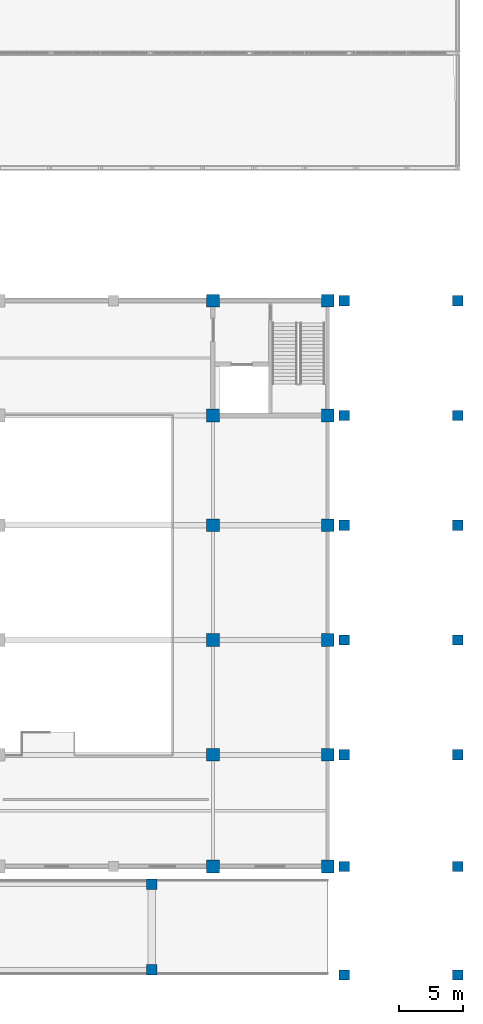
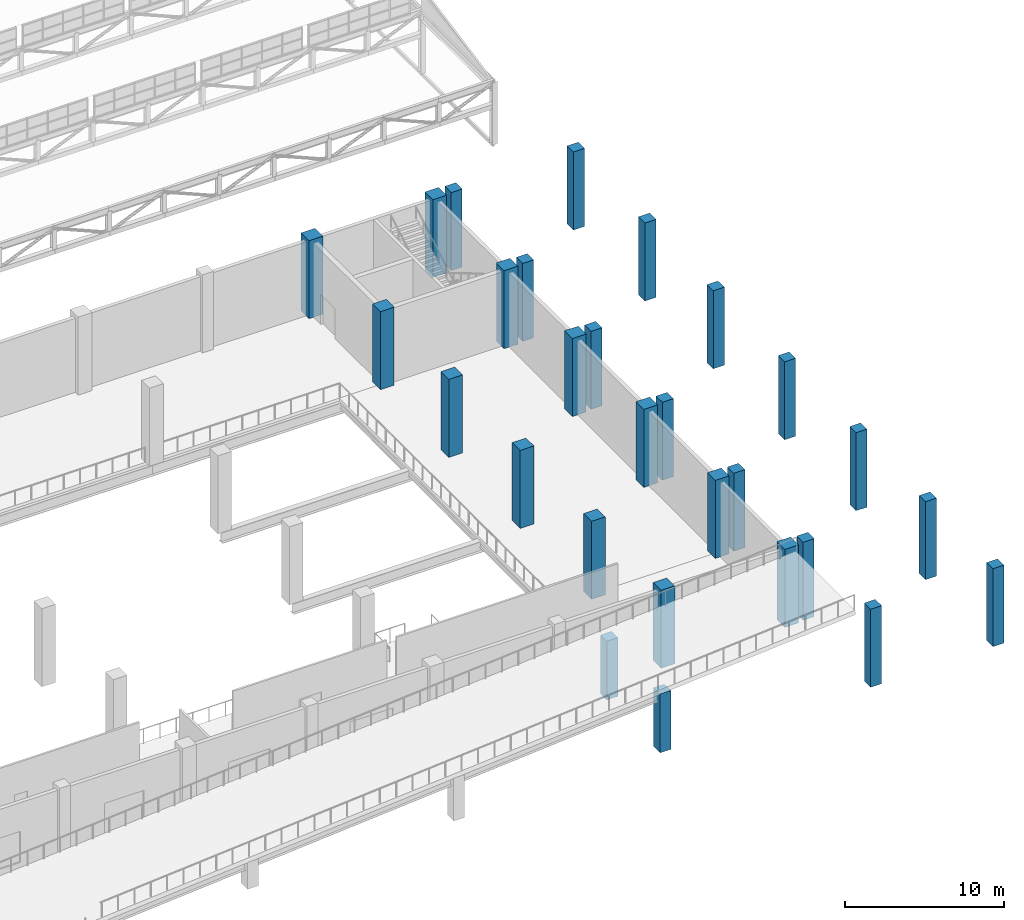
# One storey, part 19 of 159: 28 columns.
"""IFC4 building model written with IfcOpenShell, lengths in metres."""

from ifc_helpers import new_model, si_unit, direction, frame, origin, origin_2d, place, context, subcontext, project, spatial, rectangle, extrude, material, material_profile, profile_set, type_object, element, save


model = new_model("IFC4")

# Units and contexts
model_context = context("Model", 3, precision=1e-05, world=origin(), true_north=direction((0.0, 1.0)))
body_context = subcontext(model_context, "Body", "Model", "MODEL_VIEW")
ifc_project = project(units=[si_unit("LENGTHUNIT", "METRE"), si_unit("AREAUNIT", "SQUARE_METRE"), si_unit("VOLUMEUNIT", "CUBIC_METRE"), si_unit("PLANEANGLEUNIT", "RADIAN"), si_unit("MASSUNIT", "GRAM", prefix="KILO")], contexts=[model_context])

# Site, building, storey
site_placement = place(None, origin())
site = spatial("IfcSite", under=ifc_project, at=site_placement, CompositionType="ELEMENT")
building_placement = place(site_placement, origin())
building = spatial("IfcBuilding", under=site, at=building_placement, Name="Cazmaro Siding Exhibition Halls", CompositionType="ELEMENT")
storey_placement = place(building_placement, frame((0.0, 0.0, 6.0)))
storey = spatial("IfcBuildingStorey", under=building, at=storey_placement, Name="L01", CompositionType="ELEMENT", Elevation=6.0)

# Columns
ifc_material_1 = material(Name="Concrete f'c 45 MPa", Category="concrete")
ifc_material_profile_1 = material_profile(ifc_material_1, rectangle(XDim=1.0, YDim=1.0, at=origin_2d()), Name="RC1000X1000")
ifc_profile_set_1 = profile_set([ifc_material_profile_1], Name="Concrete f'c 45 MPa")
column_type_1 = type_object("IfcColumnType", Name="C-07", PredefinedType="COLUMN", material=ifc_profile_set_1)
for number, where, z_axis, x_axis, name in (
    (1, (196.800048828125, 9.25, 0.0), (0.0, 0.0, 1.0), (1.0, 0.0, 0.0), "Column C-07 COL-0542"),
    (2, (196.800048828125, 18.0, 0.0), (0.0, 0.0, 1.0), (1.0, 0.0, 0.0), "Column C-07 COL-0544"),
    (3, (196.800048828125, 27.0, 0.0), (0.0, 0.0, 1.0), (1.0, 0.0, 0.0), "Column C-07 COL-0546"),
    (4, (196.800048828125, 36.0, 0.0), (0.0, 0.0, 1.0), (1.0, 0.0, 0.0), "Column C-07 COL-0548"),
    (5, (196.800048828125, 44.60009765625, 0.0), (0.0, 0.0, 1.0), (1.0, 0.0, 0.0), "Column C-07 COL-0550"),
    (6, (196.800048828125, 53.60009765625, 0.0), (0.0, 0.0, 1.0), (1.0, 0.0, 0.0), "Column C-07 COL-0552"),
    (7, (205.800048828125, 9.25, 0.0), (0.0, 0.0, 1.0), (1.0, 0.0, 0.0), "Column C-07 COL-0554"),
    (8, (205.800048828125, 18.0, 0.0), (0.0, 0.0, 1.0), (1.0, 0.0, 0.0), "Column C-07 COL-0556"),
    (9, (205.800048828125, 27.0, 0.0), (0.0, 0.0, 1.0), (1.0, 0.0, 0.0), "Column C-07 COL-0558"),
    (10, (205.800048828125, 36.0, 0.0), (0.0, 0.0, 1.0), (1.0, 0.0, 0.0), "Column C-07 COL-0560"),
    (11, (205.800048828125, 44.60009765625, 0.0), (0.0, 0.0, 1.0), (1.0, 0.0, 0.0), "Column C-07 COL-0562"),
    (12, (205.800048828125, 53.60009765625, 0.0), (0.0, 0.0, 1.0), (1.0, 0.0, 0.0), "Column C-07 COL-0564"),
):
    element("IfcColumn", number, at=place(storey_placement, frame(where, z_axis=z_axis, x_axis=x_axis)), inside=storey, type_object=column_type_1, Name=name, PredefinedType="COLUMN", context=body_context, shape_type="SweptSolid", body=[
        extrude(rectangle(XDim=1.0, YDim=1.0, at=origin_2d()), origin(), (0.0, 0.0, 1.0), 6.0),
    ])
ifc_material_2 = material(Name="Concrete f'c 45 MPa", Category="concrete")
ifc_material_profile_2 = material_profile(ifc_material_2, rectangle(XDim=0.800048828125, YDim=0.800048828125, at=origin_2d()), Name="RC800X800")
ifc_profile_set_2 = profile_set([ifc_material_profile_2], Name="Concrete f'c 45 MPa")
column_type_2 = type_object("IfcColumnType", Name="C-08", PredefinedType="COLUMN", material=ifc_profile_set_2)
for number, where, z_axis, x_axis, name in (
    (13, (207.10009765625, 0.75, 0.0), (0.0, 0.0, 1.0), (1.0, 0.0, 0.0), "Column C-08 COL-1094"),
    (14, (207.10009765625, 9.25, 0.0), (0.0, 0.0, 1.0), (1.0, 0.0, 0.0), "Column C-08 COL-1096"),
    (15, (207.10009765625, 18.0, 0.0), (0.0, 0.0, 1.0), (1.0, 0.0, 0.0), "Column C-08 COL-1098"),
    (16, (207.10009765625, 27.0, 0.0), (0.0, 0.0, 1.0), (1.0, 0.0, 0.0), "Column C-08 COL-1100"),
    (17, (207.10009765625, 36.0, 0.0), (0.0, 0.0, 1.0), (1.0, 0.0, 0.0), "Column C-08 COL-1102"),
    (18, (207.10009765625, 44.60009765625, 0.0), (0.0, 0.0, 1.0), (1.0, 0.0, 0.0), "Column C-08 COL-1104"),
    (19, (207.10009765625, 53.60009765625, 0.0), (0.0, 0.0, 1.0), (1.0, 0.0, 0.0), "Column C-08 COL-1106"),
    (20, (216.0, 0.75, 0.0), (0.0, 0.0, 1.0), (1.0, 0.0, 0.0), "Column C-08 COL-1108"),
    (21, (216.0, 9.25, 0.0), (0.0, 0.0, 1.0), (1.0, 0.0, 0.0), "Column C-08 COL-1110"),
    (22, (216.0, 18.0, 0.0), (0.0, 0.0, 1.0), (1.0, 0.0, 0.0), "Column C-08 COL-1112"),
    (23, (216.0, 27.0, 0.0), (0.0, 0.0, 1.0), (1.0, 0.0, 0.0), "Column C-08 COL-1114"),
    (24, (216.0, 36.0, 0.0), (0.0, 0.0, 1.0), (1.0, 0.0, 0.0), "Column C-08 COL-1116"),
    (25, (216.0, 44.60009765625, 0.0), (0.0, 0.0, 1.0), (1.0, 0.0, 0.0), "Column C-08 COL-1118"),
    (26, (216.0, 53.60009765625, 0.0), (0.0, 0.0, 1.0), (1.0, 0.0, 0.0), "Column C-08 COL-1120"),
):
    element("IfcColumn", number, at=place(storey_placement, frame(where, z_axis=z_axis, x_axis=x_axis)), inside=storey, type_object=column_type_2, Name=name, PredefinedType="COLUMN", context=body_context, shape_type="SweptSolid", body=[
        extrude(rectangle(XDim=0.800048828125, YDim=0.800048828125, at=origin_2d()), origin(), (0.0, 0.0, 1.0), 6.0),
    ])
for number, where, z_axis, x_axis, name in (
    (27, (192.0, 1.14990234375, 0.0), (0.0, 0.0, 1.0), (1.0, 0.0, 0.0), "Column C-08 COL-1146"),
    (28, (192.0, 7.85009765625, 0.0), (0.0, 0.0, 1.0), (1.0, 0.0, 0.0), "Column C-08 COL-1148"),
):
    element("IfcColumn", number, at=place(storey_placement, frame(where, z_axis=z_axis, x_axis=x_axis)), inside=storey, type_object=column_type_2, Name=name, PredefinedType="COLUMN", context=body_context, shape_type="SweptSolid", body=[
        extrude(rectangle(XDim=0.800048828125, YDim=0.800048828125, at=origin_2d()), origin(), (0.0, 0.0, 1.0), 4.52197265625),
    ])

save(model, "model.ifc")
